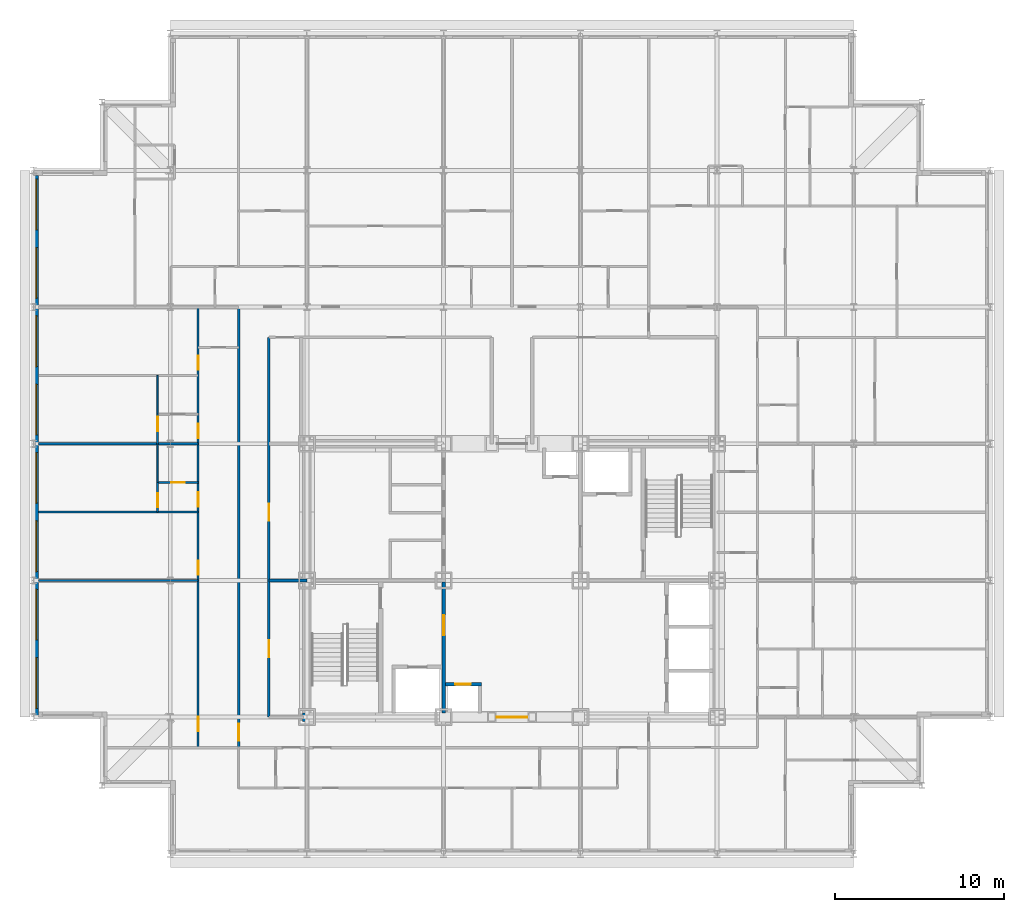
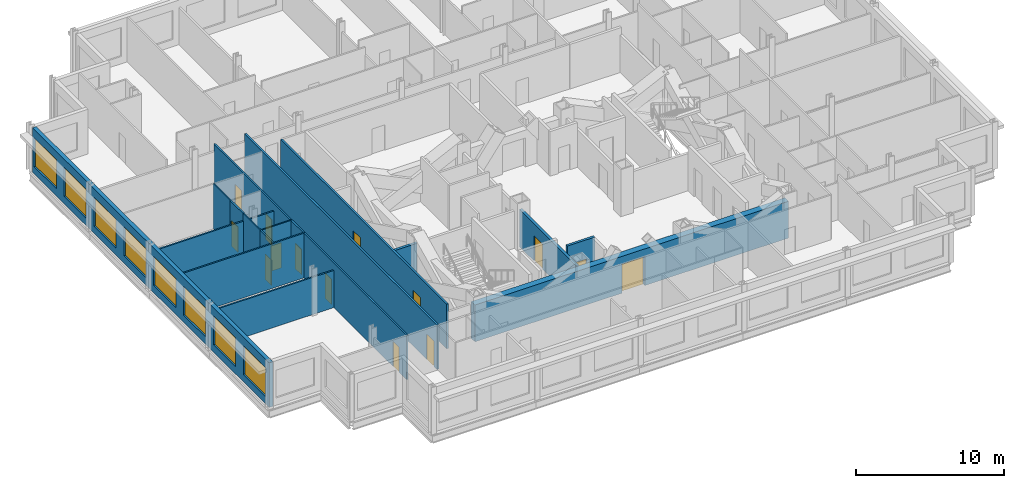
# One storey, part 8 of 15: 16 walls, 14 doors, 8 windows, 22 openings.
"""IFC4 building model written with IfcOpenShell, lengths in metres."""

from ifc_helpers import new_model, si_unit, direction, frame, frame_2d, origin, place, context, subcontext, project, spatial, rectangle, extrude, material, layer, layer_set, type_object, element, fill, save


model = new_model("IFC4")

# Units and contexts
model_context = context("Model", 3, precision=1e-05, world=origin(), true_north=direction((0.0, 1.0)))
body_context = subcontext(model_context, "Body", "Model", "MODEL_VIEW")
ifc_project = project(units=[si_unit("LENGTHUNIT", "METRE"), si_unit("AREAUNIT", "SQUARE_METRE"), si_unit("VOLUMEUNIT", "CUBIC_METRE"), si_unit("PLANEANGLEUNIT", "RADIAN"), si_unit("MASSUNIT", "GRAM", prefix="KILO")], contexts=[model_context])

# Site, building, storey
site_placement = place(None, origin())
site = spatial("IfcSite", under=ifc_project, at=site_placement, CompositionType="ELEMENT")
building_placement = place(site_placement, origin())
building = spatial("IfcBuilding", under=site, at=building_placement, Name="Kopane Lantern Tower", CompositionType="ELEMENT")
storey_placement = place(building_placement, frame((0.0, 0.0, 281.39990234375)))
storey = spatial("IfcBuildingStorey", under=building, at=storey_placement, Name="L72", CompositionType="ELEMENT", Elevation=281.39990234375)

# Wall, openings, doors
ifc_material_1 = material(Name="Gypsum board on steel studs", Category="steel")
ifc_layer_1 = layer(ifc_material_1, 0.1201171875)
ifc_layer_set_1 = layer_set([ifc_layer_1], Name="APARTMENT INTERNAL WALL 120")
wall_type_1 = type_object("IfcWallType", Name="APARTMENT INTERNAL WALL 120", PredefinedType="PARTITIONING", material=ifc_layer_set_1)
wall_1_placement = place(storey_placement, frame((9.75, 22.5, 0.0), z_axis=(0.0, 0.0, 1.0), x_axis=(0.0, 1.0, 0.0)))
wall_1 = element("IfcWall", 1, at=wall_1_placement, inside=storey, type_object=wall_type_1, Name="Apartment Internal Wall 120 L72", PredefinedType="PARTITIONING", context=body_context, shape_type="SweptSolid", body=[
    extrude(rectangle(XDim=26.10009765625, YDim=0.1201171875, at=frame_2d((13.050048828125, 0.0))), origin(), (0.0, 0.0, 1.0), 3.690185546875),
])
opening_1_placement = place(wall_1_placement, frame((0.97509765625, 0.0, 0.0)))
opening_1 = element("IfcOpeningElement", 2, at=opening_1_placement, cuts=wall_1, Name="Opening L72-023", PredefinedType="OPENING", context=body_context, shape_type="SweptSolid", body=[
    extrude(rectangle(XDim=0.85009765625, YDim=2.10009765625, at=frame_2d((0.425048828125, 1.050048828125))), frame((0.0, 0.070068359375, 0.0), z_axis=(0.0, -1.0, 0.0), x_axis=(1.0, 0.0, 0.0)), (0.0, 0.0, 1.0), 0.14013671875),
])
opening_2_placement = place(wall_1_placement, frame((10.22509765625, 0.0, 0.0)))
opening_2 = element("IfcOpeningElement", 3, at=opening_2_placement, cuts=wall_1, Name="Opening L72-024", PredefinedType="OPENING", context=body_context, shape_type="SweptSolid", body=[
    extrude(rectangle(XDim=0.85009765625, YDim=2.10009765625, at=frame_2d((0.425048828125, 1.050048828125))), frame((0.0, 0.070068359375, 0.0), z_axis=(0.0, -1.0, 0.0), x_axis=(1.0, 0.0, 0.0)), (0.0, 0.0, 1.0), 0.14013671875),
])
opening_3_placement = place(wall_1_placement, frame((14.27490234375, 0.0, 0.0)))
opening_3 = element("IfcOpeningElement", 4, at=opening_3_placement, cuts=wall_1, Name="Opening L72-026", PredefinedType="OPENING", context=body_context, shape_type="SweptSolid", body=[
    extrude(rectangle(XDim=0.85009765625, YDim=2.10009765625, at=frame_2d((0.425048828125, 1.050048828125))), frame((0.0, 0.070068359375, 0.0), z_axis=(0.0, -1.0, 0.0), x_axis=(1.0, 0.0, 0.0)), (0.0, 0.0, 1.0), 0.14013671875),
])
opening_4_placement = place(wall_1_placement, frame((18.324951171875, 0.0, 0.0)))
opening_4 = element("IfcOpeningElement", 5, at=opening_4_placement, cuts=wall_1, Name="Opening L72-028", PredefinedType="OPENING", context=body_context, shape_type="SweptSolid", body=[
    extrude(rectangle(XDim=0.85009765625, YDim=2.10009765625, at=frame_2d((0.425048828125, 1.050048828125))), frame((0.0, 0.070068359375, 0.0), z_axis=(0.0, -1.0, 0.0), x_axis=(1.0, 0.0, 0.0)), (0.0, 0.0, 1.0), 0.14013671875),
])
opening_5_placement = place(wall_1_placement, frame((22.375, 0.0, 0.0)))
opening_5 = element("IfcOpeningElement", 6, at=opening_5_placement, cuts=wall_1, Name="Opening L72-029", PredefinedType="OPENING", context=body_context, shape_type="SweptSolid", body=[
    extrude(rectangle(XDim=0.85009765625, YDim=2.10009765625, at=frame_2d((0.425048828125, 1.050048828125))), frame((0.0, 0.070068359375, 0.0), z_axis=(0.0, -1.0, 0.0), x_axis=(1.0, 0.0, 0.0)), (0.0, 0.0, 1.0), 0.14013671875),
])
ifc_material_2 = material(Name="Timber door set", Category="wood")
door_type_1 = type_object("IfcDoorType", Name="DOOR D4 850x2100", OperationType="SINGLE_SWING_LEFT", PredefinedType="DOOR", material=ifc_material_2)
door_1_placement = place(opening_1_placement, origin())
door_1 = element("IfcDoor", 7, at=door_1_placement, inside=storey, type_object=door_type_1, Name="Door L72-023", OperationType="SINGLE_SWING_RIGHT", OverallHeight=2.10009765625, OverallWidth=0.85009765625, PredefinedType="DOOR", context=body_context, shape_type="SweptSolid", body=[
    extrude(rectangle(XDim=0.85009765625, YDim=2.10009765625, at=frame_2d((0.425048828125, 1.050048828125))), frame((0.0, 0.02490234375, 0.0), z_axis=(0.0, -1.0, 0.0), x_axis=(1.0, 0.0, 0.0)), (0.0, 0.0, 1.0), 0.050048828125),
])
fill(opening_1, door_1)
door_2_placement = place(opening_2_placement, origin())
door_2 = element("IfcDoor", 8, at=door_2_placement, inside=storey, type_object=door_type_1, Name="Door L72-024", OperationType="SINGLE_SWING_LEFT", OverallHeight=2.10009765625, OverallWidth=0.85009765625, PredefinedType="DOOR", context=body_context, shape_type="SweptSolid", body=[
    extrude(rectangle(XDim=0.85009765625, YDim=2.10009765625, at=frame_2d((0.425048828125, 1.050048828125))), frame((0.0, 0.02490234375, 0.0), z_axis=(0.0, -1.0, 0.0), x_axis=(1.0, 0.0, 0.0)), (0.0, 0.0, 1.0), 0.050048828125),
])
fill(opening_2, door_2)
door_3_placement = place(opening_3_placement, origin())
door_3 = element("IfcDoor", 9, at=door_3_placement, inside=storey, type_object=door_type_1, Name="Door L72-026", OperationType="SINGLE_SWING_LEFT", OverallHeight=2.10009765625, OverallWidth=0.85009765625, PredefinedType="DOOR", context=body_context, shape_type="SweptSolid", body=[
    extrude(rectangle(XDim=0.85009765625, YDim=2.10009765625, at=frame_2d((0.425048828125, 1.050048828125))), frame((0.0, 0.02490234375, 0.0), z_axis=(0.0, -1.0, 0.0), x_axis=(1.0, 0.0, 0.0)), (0.0, 0.0, 1.0), 0.050048828125),
])
fill(opening_3, door_3)
door_4_placement = place(opening_4_placement, origin())
door_4 = element("IfcDoor", 10, at=door_4_placement, inside=storey, type_object=door_type_1, Name="Door L72-028", OperationType="SINGLE_SWING_LEFT", OverallHeight=2.10009765625, OverallWidth=0.85009765625, PredefinedType="DOOR", context=body_context, shape_type="SweptSolid", body=[
    extrude(rectangle(XDim=0.85009765625, YDim=2.10009765625, at=frame_2d((0.425048828125, 1.050048828125))), frame((0.0, 0.02490234375, 0.0), z_axis=(0.0, -1.0, 0.0), x_axis=(1.0, 0.0, 0.0)), (0.0, 0.0, 1.0), 0.050048828125),
])
fill(opening_4, door_4)
door_5_placement = place(opening_5_placement, origin())
door_5 = element("IfcDoor", 11, at=door_5_placement, inside=storey, type_object=door_type_1, Name="Door L72-029", OperationType="SINGLE_SWING_LEFT", OverallHeight=2.10009765625, OverallWidth=0.85009765625, PredefinedType="DOOR", context=body_context, shape_type="SweptSolid", body=[
    extrude(rectangle(XDim=0.85009765625, YDim=2.10009765625, at=frame_2d((0.425048828125, 1.050048828125))), frame((0.0, 0.02490234375, 0.0), z_axis=(0.0, -1.0, 0.0), x_axis=(1.0, 0.0, 0.0)), (0.0, 0.0, 1.0), 0.050048828125),
])
fill(opening_5, door_5)

# Walls
wall_2_placement = place(storey_placement, frame((9.75, 32.39990234375, 0.0), z_axis=(0.0, 0.0, 1.0), x_axis=(-1.0, 0.0, 0.0)))
element("IfcWall", 12, at=wall_2_placement, inside=storey, type_object=wall_type_1, Name="Apartment Internal Wall 120 L72", PredefinedType="PARTITIONING", context=body_context, shape_type="SweptSolid", body=[
    extrude(rectangle(XDim=9.449951171875, YDim=0.1201171875, at=frame_2d((4.72509765625, 0.0))), origin(), (0.0, 0.0, 1.0), 3.077880859375),
])
wall_3_placement = place(storey_placement, frame((9.75, 36.449951171875, 0.0), z_axis=(0.0, 0.0, 1.0), x_axis=(-1.0, 0.0, 0.0)))
element("IfcWall", 13, at=wall_3_placement, inside=storey, type_object=wall_type_1, Name="Apartment Internal Wall 120 L72", PredefinedType="PARTITIONING", context=body_context, shape_type="SweptSolid", body=[
    extrude(rectangle(XDim=9.449951171875, YDim=0.1201171875, at=frame_2d((4.72509765625, 0.0))), origin(), (0.0, 0.0, 1.0), 3.690185546875),
])
wall_4_placement = place(storey_placement, frame((9.75, 40.5, 0.0), z_axis=(0.0, 0.0, 1.0), x_axis=(-1.0, 0.0, 0.0)))
element("IfcWall", 14, at=wall_4_placement, inside=storey, type_object=wall_type_1, Name="Apartment Internal Wall 120 L72", PredefinedType="PARTITIONING", context=body_context, shape_type="SweptSolid", body=[
    extrude(rectangle(XDim=9.449951171875, YDim=0.1201171875, at=frame_2d((4.72509765625, 0.0))), origin(), (0.0, 0.0, 1.0), 3.077880859375),
])

# Wall, opening, door
wall_5_placement = place(storey_placement, frame((7.35009765625, 36.449951171875, 0.0), z_axis=(0.0, 0.0, 1.0), x_axis=(0.0, 1.0, 0.0)))
wall_5 = element("IfcWall", 15, at=wall_5_placement, inside=storey, type_object=wall_type_1, Name="Apartment Internal Wall 120 L72", PredefinedType="PARTITIONING", context=body_context, shape_type="SweptSolid", body=[
    extrude(rectangle(XDim=1.760009765625, YDim=0.1201171875, at=frame_2d((0.8798828125, 0.0))), origin(), (0.0, 0.0, 1.0), 3.690185546875),
])
opening_6_placement = place(wall_5_placement, frame((0.27490234375, 0.0, 0.0)))
opening_6 = element("IfcOpeningElement", 16, at=opening_6_placement, cuts=wall_5, Name="Opening L72-054", PredefinedType="OPENING", context=body_context, shape_type="SweptSolid", body=[
    extrude(rectangle(XDim=0.85009765625, YDim=2.10009765625, at=frame_2d((0.425048828125, 1.050048828125))), frame((0.0, 0.070068359375, 0.0), z_axis=(0.0, -1.0, 0.0), x_axis=(1.0, 0.0, 0.0)), (0.0, 0.0, 1.0), 0.14013671875),
])
door_6_placement = place(opening_6_placement, origin())
door_6 = element("IfcDoor", 17, at=door_6_placement, inside=storey, type_object=door_type_1, Name="Door L72-054", OperationType="SINGLE_SWING_LEFT", OverallHeight=2.10009765625, OverallWidth=0.85009765625, PredefinedType="DOOR", context=body_context, shape_type="SweptSolid", body=[
    extrude(rectangle(XDim=0.85009765625, YDim=2.10009765625, at=frame_2d((0.425048828125, 1.050048828125))), frame((0.0, 0.02490234375, 0.0), z_axis=(0.0, -1.0, 0.0), x_axis=(1.0, 0.0, 0.0)), (0.0, 0.0, 1.0), 0.050048828125),
])
fill(opening_6, door_6)

wall_6_placement = place(storey_placement, frame((7.35009765625, 40.5, 0.0), z_axis=(0.0, 0.0, 1.0), x_axis=(0.0, 1.0, 0.0)))
wall_6 = element("IfcWall", 18, at=wall_6_placement, inside=storey, type_object=wall_type_1, Name="Apartment Internal Wall 120 L72", PredefinedType="PARTITIONING", context=body_context, shape_type="SweptSolid", body=[
    extrude(rectangle(XDim=1.760009765625, YDim=0.1201171875, at=frame_2d((0.8798828125, 0.0))), origin(), (0.0, 0.0, 1.0), 3.690185546875),
])
opening_7_placement = place(wall_6_placement, frame((0.75, 0.0, 0.0)))
opening_7 = element("IfcOpeningElement", 19, at=opening_7_placement, cuts=wall_6, Name="Opening L72-055", PredefinedType="OPENING", context=body_context, shape_type="SweptSolid", body=[
    extrude(rectangle(XDim=0.85009765625, YDim=2.10009765625, at=frame_2d((0.425048828125, 1.050048828125))), frame((0.0, 0.070068359375, 0.0), z_axis=(0.0, -1.0, 0.0), x_axis=(1.0, 0.0, 0.0)), (0.0, 0.0, 1.0), 0.14013671875),
])
door_7_placement = place(opening_7_placement, origin())
door_7 = element("IfcDoor", 20, at=door_7_placement, inside=storey, type_object=door_type_1, Name="Door L72-055", OperationType="SINGLE_SWING_LEFT", OverallHeight=2.10009765625, OverallWidth=0.85009765625, PredefinedType="DOOR", context=body_context, shape_type="SweptSolid", body=[
    extrude(rectangle(XDim=0.85009765625, YDim=2.10009765625, at=frame_2d((0.425048828125, 1.050048828125))), frame((0.0, 0.02490234375, 0.0), z_axis=(0.0, -1.0, 0.0), x_axis=(1.0, 0.0, 0.0)), (0.0, 0.0, 1.0), 0.050048828125),
])
fill(opening_7, door_7)

ifc_material_3 = material(Name="Moisture-resistant board on steel studs", Category="steel")
ifc_layer_2 = layer(ifc_material_3, 0.10009765625)
ifc_layer_set_2 = layer_set([ifc_layer_2], Name="BATHROOM WALL 100")
wall_type_2 = type_object("IfcWallType", Name="BATHROOM WALL 100", PredefinedType="PARTITIONING", material=ifc_layer_set_2)
wall_7_placement = place(storey_placement, frame((9.75, 38.199951171875, 0.0), z_axis=(0.0, 0.0, 1.0), x_axis=(-1.0, 0.0, 0.0)))
wall_7 = element("IfcWall", 21, at=wall_7_placement, inside=storey, type_object=wall_type_2, Name="Bathroom Wall 100 L72", PredefinedType="PARTITIONING", context=body_context, shape_type="SweptSolid", body=[
    extrude(rectangle(XDim=2.39990234375, YDim=0.10009765625, at=frame_2d((1.199951171875, 0.0))), origin(), (0.0, 0.0, 1.0), 3.690185546875),
])
opening_8_placement = place(wall_7_placement, frame((0.800048828125, 0.0, 0.0)))
opening_8 = element("IfcOpeningElement", 22, at=opening_8_placement, cuts=wall_7, Name="Opening L72-025", PredefinedType="OPENING", context=body_context, shape_type="SweptSolid", body=[
    extrude(rectangle(XDim=0.800048828125, YDim=2.10009765625, at=frame_2d((0.39990234375, 1.050048828125))), frame((0.0, 0.06005859375, 0.0), z_axis=(0.0, -1.0, 0.0), x_axis=(1.0, 0.0, 0.0)), (0.0, 0.0, 1.0), 0.1201171875),
])
ifc_material_4 = material(Name="Timber door set", Category="wood")
door_type_2 = type_object("IfcDoorType", Name="DOOR D2 800x2100", OperationType="SINGLE_SWING_LEFT", PredefinedType="DOOR", material=ifc_material_4)
door_8_placement = place(opening_8_placement, origin())
door_8 = element("IfcDoor", 23, at=door_8_placement, inside=storey, type_object=door_type_2, Name="Door L72-025", OperationType="SINGLE_SWING_RIGHT", OverallHeight=2.10009765625, OverallWidth=0.800048828125, PredefinedType="DOOR", context=body_context, shape_type="SweptSolid", body=[
    extrude(rectangle(XDim=0.800048828125, YDim=2.10009765625, at=frame_2d((0.39990234375, 1.050048828125))), frame((0.0, 0.02490234375, 0.0), z_axis=(0.0, -1.0, 0.0), x_axis=(1.0, 0.0, 0.0)), (0.0, 0.0, 1.0), 0.050048828125),
])
fill(opening_8, door_8)

# Walls
for number, where, z_axis, x_axis, name in (
    (24, (7.35009765625, 38.199951171875, 0.0), (0.0, 0.0, 1.0), (0.0, 1.0, 0.0), "Bathroom Wall 100 L72"),
    (25, (7.35009765625, 42.25, 0.0), (0.0, 0.0, 1.0), (0.0, 1.0, 0.0), "Bathroom Wall 100 L72"),
):
    element("IfcWall", number, at=place(storey_placement, frame(where, z_axis=z_axis, x_axis=x_axis)), inside=storey, type_object=wall_type_2, Name=name, PredefinedType="PARTITIONING", context=body_context, shape_type="SweptSolid", body=[
        extrude(rectangle(XDim=2.300048828125, YDim=0.10009765625, at=frame_2d((1.14990234375, 0.0))), origin(), (0.0, 0.0, 1.0), 3.690185546875),
    ])

# Wall, opening, door
ifc_material_5 = material(Name="Gypsum shaft wall EI 120", Category="gypsum")
ifc_layer_3 = layer(ifc_material_5, 0.5)
ifc_layer_set_3 = layer_set([ifc_layer_3], Name="CORE PERIMETER WALL 500 EI 120")
wall_type_3 = type_object("IfcWallType", Name="CORE PERIMETER WALL 500 EI 120", PredefinedType="SOLIDWALL", material=ifc_layer_set_3)
wall_8_placement = place(storey_placement, frame((15.949951171875, 24.300048828125, 0.0), z_axis=(0.0, 0.0, 1.0), x_axis=(1.0, 0.0, 0.0)))
wall_8 = element("IfcWall", 26, at=wall_8_placement, inside=storey, type_object=wall_type_3, Name="Core shaft wall L72 PS", PredefinedType="SOLIDWALL", context=body_context, shape_type="SweptSolid", body=[
    extrude(rectangle(XDim=24.550048828125, YDim=0.5, at=frame_2d((12.27490234375, 0.0))), origin(), (0.0, 0.0, 1.0), 3.0400390625),
])
opening_9_placement = place(wall_8_placement, frame((11.5, 0.0, 0.0)))
opening_9 = element("IfcOpeningElement", 27, at=opening_9_placement, cuts=wall_8, Name="Opening 72.CE-S", PredefinedType="OPENING", context=body_context, shape_type="SweptSolid", body=[
    extrude(rectangle(XDim=1.800048828125, YDim=2.39990234375, at=frame_2d((0.89990234375, 1.199951171875))), frame((0.0, 0.260009765625, 0.0), z_axis=(0.0, -1.0, 0.0), x_axis=(1.0, 0.0, 0.0)), (0.0, 0.0, 1.0), 0.52001953125),
])
ifc_material_6 = material(Name="Steel door set", Category="steel")
door_type_3 = type_object("IfcDoorType", Name="CORE ENTRY DOOR 1800x2400 FD60S", OperationType="DOUBLE_DOOR_SINGLE_SWING", PredefinedType="DOOR", material=ifc_material_6)
door_9_placement = place(opening_9_placement, origin())
door_9 = element("IfcDoor", 28, at=door_9_placement, inside=storey, type_object=door_type_3, Name="Core entry door L72 south", OperationType="DOUBLE_DOOR_SINGLE_SWING", OverallHeight=2.39990234375, OverallWidth=1.800048828125, PredefinedType="DOOR", context=body_context, shape_type="SweptSolid", body=[
    extrude(rectangle(XDim=1.800048828125, YDim=2.39990234375, at=frame_2d((0.89990234375, 1.199951171875))), frame((0.0, 0.02490234375, 0.0), z_axis=(0.0, -1.0, 0.0), x_axis=(1.0, 0.0, 0.0)), (0.0, 0.0, 1.0), 0.050048828125),
])
fill(opening_9, door_9)

ifc_material_7 = material(Name="Gypsum board on steel studs", Category="steel")
ifc_layer_4 = layer(ifc_material_7, 0.14990234375)
ifc_layer_set_4 = layer_set([ifc_layer_4], Name="CORRIDOR WALL 150 EI 60")
wall_type_4 = type_object("IfcWallType", Name="CORRIDOR WALL 150 EI 60", PredefinedType="PARTITIONING", material=ifc_layer_set_4)
wall_9_placement = place(storey_placement, frame((12.14990234375, 22.5, 0.0), z_axis=(0.0, 0.0, 1.0), x_axis=(0.0, 1.0, 0.0)))
wall_9 = element("IfcWall", 29, at=wall_9_placement, inside=storey, type_object=wall_type_4, Name="Corridor Wall 150 Ei 60 L72", PredefinedType="PARTITIONING", context=body_context, shape_type="SweptSolid", body=[
    extrude(rectangle(XDim=26.10009765625, YDim=0.14990234375, at=frame_2d((13.050048828125, 0.0))), origin(), (0.0, 0.0, 1.0), 3.690185546875),
])
opening_10_placement = place(wall_9_placement, frame((0.39990234375, 0.0, 0.0)))
opening_10 = element("IfcOpeningElement", 30, at=opening_10_placement, cuts=wall_9, Name="Opening L72-022", PredefinedType="OPENING", context=body_context, shape_type="SweptSolid", body=[
    extrude(rectangle(XDim=1.0, YDim=2.10009765625, at=frame_2d((0.5, 1.050048828125))), frame((0.0, 0.0849609375, 0.0), z_axis=(0.0, -1.0, 0.0), x_axis=(1.0, 0.0, 0.0)), (0.0, 0.0, 1.0), 0.169921875),
])
ifc_material_8 = material(Name="Steel door set", Category="steel")
door_type_4 = type_object("IfcDoorType", Name="DOOR D3 1000x2100 FD30S", OperationType="SINGLE_SWING_LEFT", PredefinedType="DOOR", material=ifc_material_8)
door_10_placement = place(opening_10_placement, origin())
door_10 = element("IfcDoor", 31, at=door_10_placement, inside=storey, type_object=door_type_4, Name="Door L72-022", OperationType="SINGLE_SWING_LEFT", OverallHeight=2.10009765625, OverallWidth=1.0, PredefinedType="DOOR", context=body_context, shape_type="SweptSolid", body=[
    extrude(rectangle(XDim=1.0, YDim=2.10009765625, at=frame_2d((0.5, 1.050048828125))), frame((0.0, 0.02490234375, 0.0), z_axis=(0.0, -1.0, 0.0), x_axis=(1.0, 0.0, 0.0)), (0.0, 0.0, 1.0), 0.050048828125),
])
fill(opening_10, door_10)

# Wall, openings, doors
wall_10_placement = place(storey_placement, frame((13.949951171875, 24.300048828125, 0.0), z_axis=(0.0, 0.0, 1.0), x_axis=(0.0, 1.0, 0.0)))
wall_10 = element("IfcWall", 32, at=wall_10_placement, inside=storey, type_object=wall_type_4, Name="Corridor Wall 150 Ei 60 L72", PredefinedType="PARTITIONING", context=body_context, shape_type="SweptSolid", body=[
    extrude(rectangle(XDim=22.5, YDim=0.14990234375, at=frame_2d((11.25, 0.0))), origin(), (0.0, 0.0, 1.0), 3.690185546875),
])
opening_11_placement = place(wall_10_placement, frame((3.550048828125, 0.0, 0.0)))
opening_11 = element("IfcOpeningElement", 33, at=opening_11_placement, cuts=wall_10, Name="Opening L72-001", PredefinedType="OPENING", context=body_context, shape_type="SweptSolid", body=[
    extrude(rectangle(XDim=1.0, YDim=2.10009765625, at=frame_2d((0.5, 1.050048828125))), frame((0.0, 0.0849609375, 0.0), z_axis=(0.0, -1.0, 0.0), x_axis=(1.0, 0.0, 0.0)), (0.0, 0.0, 1.0), 0.169921875),
])
opening_12_placement = place(wall_10_placement, frame((11.64990234375, 0.0, 0.0)))
opening_12 = element("IfcOpeningElement", 34, at=opening_12_placement, cuts=wall_10, Name="Opening L72-002", PredefinedType="OPENING", context=body_context, shape_type="SweptSolid", body=[
    extrude(rectangle(XDim=1.0, YDim=2.10009765625, at=frame_2d((0.5, 1.050048828125))), frame((0.0, 0.0849609375, 0.0), z_axis=(0.0, -1.0, 0.0), x_axis=(1.0, 0.0, 0.0)), (0.0, 0.0, 1.0), 0.169921875),
])
ifc_material_9 = material(Name="Steel door set", Category="steel")
door_type_5 = type_object("IfcDoorType", Name="DOOR D5 1000x2100 FD60", OperationType="SINGLE_SWING_LEFT", PredefinedType="DOOR", material=ifc_material_9)
door_11_placement = place(opening_11_placement, origin())
door_11 = element("IfcDoor", 35, at=door_11_placement, inside=storey, type_object=door_type_5, Name="Door L72-001", OperationType="SINGLE_SWING_RIGHT", OverallHeight=2.10009765625, OverallWidth=1.0, PredefinedType="DOOR", context=body_context, shape_type="SweptSolid", body=[
    extrude(rectangle(XDim=1.0, YDim=2.10009765625, at=frame_2d((0.5, 1.050048828125))), frame((0.0, 0.02490234375, 0.0), z_axis=(0.0, -1.0, 0.0), x_axis=(1.0, 0.0, 0.0)), (0.0, 0.0, 1.0), 0.050048828125),
])
fill(opening_11, door_11)
door_12_placement = place(opening_12_placement, origin())
door_12 = element("IfcDoor", 36, at=door_12_placement, inside=storey, type_object=door_type_5, Name="Door L72-002", OperationType="SINGLE_SWING_LEFT", OverallHeight=2.10009765625, OverallWidth=1.0, PredefinedType="DOOR", context=body_context, shape_type="SweptSolid", body=[
    extrude(rectangle(XDim=1.0, YDim=2.10009765625, at=frame_2d((0.5, 1.050048828125))), frame((0.0, 0.02490234375, 0.0), z_axis=(0.0, -1.0, 0.0), x_axis=(1.0, 0.0, 0.0)), (0.0, 0.0, 1.0), 0.050048828125),
])
fill(opening_12, door_12)

# Wall, openings, windows
ifc_material_10 = material(Name="Terracotta rainscreen on light steel framing", Category="masonry")
ifc_layer_5 = layer(ifc_material_10, 0.300048828125)
ifc_layer_set_5 = layer_set([ifc_layer_5], Name="EXTERNAL WALL EW1 300 TERRACOTTA")
wall_type_5 = type_object("IfcWallType", Name="EXTERNAL WALL EW1 300 TERRACOTTA", PredefinedType="SOLIDWALL", material=ifc_layer_set_5)
wall_11_placement = place(storey_placement, frame((0.14990234375, 56.39990234375, 0.0), z_axis=(0.0, 0.0, 1.0), x_axis=(0.0, -1.0, 0.0)))
wall_11 = element("IfcWall", 37, at=wall_11_placement, inside=storey, type_object=wall_type_5, Name="External wall W L72", PredefinedType="SOLIDWALL", context=body_context, shape_type="SweptSolid", body=[
    extrude(rectangle(XDim=32.099853515625, YDim=0.300048828125, at=frame_2d((16.0498046875, 0.0))), origin(), (0.0, 0.0, 1.0), 3.690185546875),
])
opening_13_placement = place(wall_11_placement, frame((0.22509765625, 0.0, 0.60009765625)))
opening_13 = element("IfcOpeningElement", 38, at=opening_13_placement, cuts=wall_11, Name="Opening WR300240", PredefinedType="OPENING", context=body_context, shape_type="SweptSolid", body=[
    extrude(rectangle(XDim=3.0, YDim=2.39990234375, at=frame_2d((1.5, 1.199951171875))), frame((0.0, 0.159912109375, 0.0), z_axis=(0.0, -1.0, 0.0), x_axis=(1.0, 0.0, 0.0)), (0.0, 0.0, 1.0), 0.320068359375),
])
opening_14_placement = place(wall_11_placement, frame((4.27490234375, 0.0, 0.60009765625)))
opening_14 = element("IfcOpeningElement", 39, at=opening_14_placement, cuts=wall_11, Name="Opening WR300240", PredefinedType="OPENING", context=body_context, shape_type="SweptSolid", body=[
    extrude(rectangle(XDim=3.0, YDim=2.39990234375, at=frame_2d((1.5, 1.199951171875))), frame((0.0, 0.159912109375, 0.0), z_axis=(0.0, -1.0, 0.0), x_axis=(1.0, 0.0, 0.0)), (0.0, 0.0, 1.0), 0.320068359375),
])
opening_15_placement = place(wall_11_placement, frame((8.324951171875, 0.0, 0.60009765625)))
opening_15 = element("IfcOpeningElement", 40, at=opening_15_placement, cuts=wall_11, Name="Opening WR300240", PredefinedType="OPENING", context=body_context, shape_type="SweptSolid", body=[
    extrude(rectangle(XDim=3.0, YDim=2.39990234375, at=frame_2d((1.5, 1.199951171875))), frame((0.0, 0.159912109375, 0.0), z_axis=(0.0, -1.0, 0.0), x_axis=(1.0, 0.0, 0.0)), (0.0, 0.0, 1.0), 0.320068359375),
])
opening_16_placement = place(wall_11_placement, frame((12.375, 0.0, 0.60009765625)))
opening_16 = element("IfcOpeningElement", 41, at=opening_16_placement, cuts=wall_11, Name="Opening WR300240", PredefinedType="OPENING", context=body_context, shape_type="SweptSolid", body=[
    extrude(rectangle(XDim=3.0, YDim=2.39990234375, at=frame_2d((1.5, 1.199951171875))), frame((0.0, 0.159912109375, 0.0), z_axis=(0.0, -1.0, 0.0), x_axis=(1.0, 0.0, 0.0)), (0.0, 0.0, 1.0), 0.320068359375),
])
opening_17_placement = place(wall_11_placement, frame((16.425048828125, 0.0, 0.60009765625)))
opening_17 = element("IfcOpeningElement", 42, at=opening_17_placement, cuts=wall_11, Name="Opening WR300240", PredefinedType="OPENING", context=body_context, shape_type="SweptSolid", body=[
    extrude(rectangle(XDim=3.0, YDim=2.39990234375, at=frame_2d((1.5, 1.199951171875))), frame((0.0, 0.159912109375, 0.0), z_axis=(0.0, -1.0, 0.0), x_axis=(1.0, 0.0, 0.0)), (0.0, 0.0, 1.0), 0.320068359375),
])
opening_18_placement = place(wall_11_placement, frame((20.47509765625, 0.0, 0.60009765625)))
opening_18 = element("IfcOpeningElement", 43, at=opening_18_placement, cuts=wall_11, Name="Opening WR300240", PredefinedType="OPENING", context=body_context, shape_type="SweptSolid", body=[
    extrude(rectangle(XDim=3.0, YDim=2.39990234375, at=frame_2d((1.5, 1.199951171875))), frame((0.0, 0.159912109375, 0.0), z_axis=(0.0, -1.0, 0.0), x_axis=(1.0, 0.0, 0.0)), (0.0, 0.0, 1.0), 0.320068359375),
])
opening_19_placement = place(wall_11_placement, frame((24.52490234375, 0.0, 0.60009765625)))
opening_19 = element("IfcOpeningElement", 44, at=opening_19_placement, cuts=wall_11, Name="Opening WR300240", PredefinedType="OPENING", context=body_context, shape_type="SweptSolid", body=[
    extrude(rectangle(XDim=3.0, YDim=2.39990234375, at=frame_2d((1.5, 1.199951171875))), frame((0.0, 0.159912109375, 0.0), z_axis=(0.0, -1.0, 0.0), x_axis=(1.0, 0.0, 0.0)), (0.0, 0.0, 1.0), 0.320068359375),
])
opening_20_placement = place(wall_11_placement, frame((28.574951171875, 0.0, 0.60009765625)))
opening_20 = element("IfcOpeningElement", 45, at=opening_20_placement, cuts=wall_11, Name="Opening WR300240", PredefinedType="OPENING", context=body_context, shape_type="SweptSolid", body=[
    extrude(rectangle(XDim=3.0, YDim=2.39990234375, at=frame_2d((1.5, 1.199951171875))), frame((0.0, 0.159912109375, 0.0), z_axis=(0.0, -1.0, 0.0), x_axis=(1.0, 0.0, 0.0)), (0.0, 0.0, 1.0), 0.320068359375),
])
ifc_material_11 = material(Name="Aluminium and clear glass", Category="aluminium")
window_type = type_object("IfcWindowType", Name="RIBBON WINDOW WR300240 3000x2400", PartitioningType="SINGLE_PANEL", PredefinedType="WINDOW", material=ifc_material_11)
window_1_placement = place(opening_13_placement, origin())
window_1 = element("IfcWindow", 46, at=window_1_placement, inside=storey, type_object=window_type, Name="Window W L72", OverallHeight=2.39990234375, OverallWidth=3.0, PartitioningType="SINGLE_PANEL", PredefinedType="WINDOW", context=body_context, shape_type="SweptSolid", body=[
    extrude(rectangle(XDim=3.0, YDim=2.39990234375, at=frame_2d((1.5, 1.199951171875))), frame((0.0, 0.030029296875, 0.0), z_axis=(0.0, -1.0, 0.0), x_axis=(1.0, 0.0, 0.0)), (0.0, 0.0, 1.0), 0.06005859375),
])
fill(opening_13, window_1)
window_2_placement = place(opening_14_placement, origin())
window_2 = element("IfcWindow", 47, at=window_2_placement, inside=storey, type_object=window_type, Name="Window W L72", OverallHeight=2.39990234375, OverallWidth=3.0, PartitioningType="SINGLE_PANEL", PredefinedType="WINDOW", context=body_context, shape_type="SweptSolid", body=[
    extrude(rectangle(XDim=3.0, YDim=2.39990234375, at=frame_2d((1.5, 1.199951171875))), frame((0.0, 0.030029296875, 0.0), z_axis=(0.0, -1.0, 0.0), x_axis=(1.0, 0.0, 0.0)), (0.0, 0.0, 1.0), 0.06005859375),
])
fill(opening_14, window_2)
window_3_placement = place(opening_15_placement, origin())
window_3 = element("IfcWindow", 48, at=window_3_placement, inside=storey, type_object=window_type, Name="Window W L72", OverallHeight=2.39990234375, OverallWidth=3.0, PartitioningType="SINGLE_PANEL", PredefinedType="WINDOW", context=body_context, shape_type="SweptSolid", body=[
    extrude(rectangle(XDim=3.0, YDim=2.39990234375, at=frame_2d((1.5, 1.199951171875))), frame((0.0, 0.030029296875, 0.0), z_axis=(0.0, -1.0, 0.0), x_axis=(1.0, 0.0, 0.0)), (0.0, 0.0, 1.0), 0.06005859375),
])
fill(opening_15, window_3)
window_4_placement = place(opening_16_placement, origin())
window_4 = element("IfcWindow", 49, at=window_4_placement, inside=storey, type_object=window_type, Name="Window W L72", OverallHeight=2.39990234375, OverallWidth=3.0, PartitioningType="SINGLE_PANEL", PredefinedType="WINDOW", context=body_context, shape_type="SweptSolid", body=[
    extrude(rectangle(XDim=3.0, YDim=2.39990234375, at=frame_2d((1.5, 1.199951171875))), frame((0.0, 0.030029296875, 0.0), z_axis=(0.0, -1.0, 0.0), x_axis=(1.0, 0.0, 0.0)), (0.0, 0.0, 1.0), 0.06005859375),
])
fill(opening_16, window_4)
window_5_placement = place(opening_17_placement, origin())
window_5 = element("IfcWindow", 50, at=window_5_placement, inside=storey, type_object=window_type, Name="Window W L72", OverallHeight=2.39990234375, OverallWidth=3.0, PartitioningType="SINGLE_PANEL", PredefinedType="WINDOW", context=body_context, shape_type="SweptSolid", body=[
    extrude(rectangle(XDim=3.0, YDim=2.39990234375, at=frame_2d((1.5, 1.199951171875))), frame((0.0, 0.030029296875, 0.0), z_axis=(0.0, -1.0, 0.0), x_axis=(1.0, 0.0, 0.0)), (0.0, 0.0, 1.0), 0.06005859375),
])
fill(opening_17, window_5)
window_6_placement = place(opening_18_placement, origin())
window_6 = element("IfcWindow", 51, at=window_6_placement, inside=storey, type_object=window_type, Name="Window W L72", OverallHeight=2.39990234375, OverallWidth=3.0, PartitioningType="SINGLE_PANEL", PredefinedType="WINDOW", context=body_context, shape_type="SweptSolid", body=[
    extrude(rectangle(XDim=3.0, YDim=2.39990234375, at=frame_2d((1.5, 1.199951171875))), frame((0.0, 0.030029296875, 0.0), z_axis=(0.0, -1.0, 0.0), x_axis=(1.0, 0.0, 0.0)), (0.0, 0.0, 1.0), 0.06005859375),
])
fill(opening_18, window_6)
window_7_placement = place(opening_19_placement, origin())
window_7 = element("IfcWindow", 52, at=window_7_placement, inside=storey, type_object=window_type, Name="Window W L72", OverallHeight=2.39990234375, OverallWidth=3.0, PartitioningType="SINGLE_PANEL", PredefinedType="WINDOW", context=body_context, shape_type="SweptSolid", body=[
    extrude(rectangle(XDim=3.0, YDim=2.39990234375, at=frame_2d((1.5, 1.199951171875))), frame((0.0, 0.030029296875, 0.0), z_axis=(0.0, -1.0, 0.0), x_axis=(1.0, 0.0, 0.0)), (0.0, 0.0, 1.0), 0.06005859375),
])
fill(opening_19, window_7)
window_8_placement = place(opening_20_placement, origin())
window_8 = element("IfcWindow", 53, at=window_8_placement, inside=storey, type_object=window_type, Name="Window W L72", OverallHeight=2.39990234375, OverallWidth=3.0, PartitioningType="SINGLE_PANEL", PredefinedType="WINDOW", context=body_context, shape_type="SweptSolid", body=[
    extrude(rectangle(XDim=3.0, YDim=2.39990234375, at=frame_2d((1.5, 1.199951171875))), frame((0.0, 0.030029296875, 0.0), z_axis=(0.0, -1.0, 0.0), x_axis=(1.0, 0.0, 0.0)), (0.0, 0.0, 1.0), 0.06005859375),
])
fill(opening_20, window_8)

# Wall
ifc_material_12 = material(Name="Concrete masonry", Category="masonry")
ifc_layer_6 = layer(ifc_material_12, 0.199951171875)
ifc_layer_set_6 = layer_set([ifc_layer_6], Name="PLANT ROOM WALL 200 EI 120")
wall_type_6 = type_object("IfcWallType", Name="PLANT ROOM WALL 200 EI 120", PredefinedType="SOLIDWALL", material=ifc_layer_set_6)
wall_12_placement = place(storey_placement, frame((13.949951171875, 32.39990234375, 0.0), z_axis=(0.0, 0.0, 1.0), x_axis=(1.0, 0.0, 0.0)))
element("IfcWall", 54, at=wall_12_placement, inside=storey, type_object=wall_type_6, Name="Plant Room Wall 200 Ei 120 L72", PredefinedType="SOLIDWALL", context=body_context, shape_type="SweptSolid", body=[
    extrude(rectangle(XDim=2.25, YDim=0.199951171875, at=frame_2d((1.125, 0.0))), origin(), (0.0, 0.0, 1.0), 3.077880859375),
])

# Wall, opening, door
ifc_material_13 = material(Name="Gypsum shaft wall EI 120", Category="gypsum")
ifc_layer_7 = layer(ifc_material_13, 0.199951171875)
ifc_layer_set_7 = layer_set([ifc_layer_7], Name="SHAFT WALL 200 EI 120")
wall_type_7 = type_object("IfcWallType", Name="SHAFT WALL 200 EI 120", PredefinedType="SOLIDWALL", material=ifc_layer_set_7)
wall_13_placement = place(storey_placement, frame((24.300048828125, 24.550048828125, 0.0), z_axis=(0.0, 0.0, 1.0), x_axis=(0.0, 1.0, 0.0)))
wall_13 = element("IfcWall", 55, at=wall_13_placement, inside=storey, type_object=wall_type_7, Name="Core shaft wall L72 X243", PredefinedType="SOLIDWALL", context=body_context, shape_type="SweptSolid", body=[
    extrude(rectangle(XDim=7.75, YDim=0.199951171875, at=frame_2d((3.875, 0.0))), origin(), (0.0, 0.0, 1.0), 3.077880859375),
])
opening_21_placement = place(wall_13_placement, frame((4.60009765625, 0.0, 0.0)))
opening_21 = element("IfcOpeningElement", 56, at=opening_21_placement, cuts=wall_13, Name="Opening 72.FL1", PredefinedType="OPENING", context=body_context, shape_type="SweptSolid", body=[
    extrude(rectangle(XDim=1.199951171875, YDim=2.10009765625, at=frame_2d((0.60009765625, 1.050048828125))), frame((0.0, 0.10986328125, 0.0), z_axis=(0.0, -1.0, 0.0), x_axis=(1.0, 0.0, 0.0)), (0.0, 0.0, 1.0), 0.219970703125),
])
ifc_material_14 = material(Name="Steel door set", Category="steel")
door_type_6 = type_object("IfcDoorType", Name="FIREFIGHTING LOBBY DOOR 1200x2100 FD60S", OperationType="SINGLE_SWING_RIGHT", PredefinedType="DOOR", material=ifc_material_14)
door_13_placement = place(opening_21_placement, origin())
door_13 = element("IfcDoor", 57, at=door_13_placement, inside=storey, type_object=door_type_6, Name="Firefighting lobby door FL1 L72", OperationType="SINGLE_SWING_LEFT", OverallHeight=2.10009765625, OverallWidth=1.199951171875, PredefinedType="DOOR", context=body_context, shape_type="SweptSolid", body=[
    extrude(rectangle(XDim=1.199951171875, YDim=2.10009765625, at=frame_2d((0.60009765625, 1.050048828125))), frame((0.0, 0.02490234375, 0.0), z_axis=(0.0, -1.0, 0.0), x_axis=(1.0, 0.0, 0.0)), (0.0, 0.0, 1.0), 0.050048828125),
])
fill(opening_21, door_13)

wall_14_placement = place(storey_placement, frame((24.39990234375, 26.25, 0.0), z_axis=(0.0, 0.0, 1.0), x_axis=(1.0, 0.0, 0.0)))
wall_14 = element("IfcWall", 58, at=wall_14_placement, inside=storey, type_object=wall_type_7, Name="Core shaft wall L72 YRS1", PredefinedType="SOLIDWALL", context=body_context, shape_type="SweptSolid", body=[
    extrude(rectangle(XDim=2.150146484375, YDim=0.199951171875, at=frame_2d((1.0751953125, 0.0))), origin(), (0.0, 0.0, 1.0), 3.690185546875),
])
opening_22_placement = place(wall_14_placement, frame((0.60009765625, 0.0, 0.0)))
opening_22 = element("IfcOpeningElement", 59, at=opening_22_placement, cuts=wall_14, Name="Opening 72.RS1", PredefinedType="OPENING", context=body_context, shape_type="SweptSolid", body=[
    extrude(rectangle(XDim=0.89990234375, YDim=2.10009765625, at=frame_2d((0.449951171875, 1.050048828125))), frame((0.0, 0.10986328125, 0.0), z_axis=(0.0, -1.0, 0.0), x_axis=(1.0, 0.0, 0.0)), (0.0, 0.0, 1.0), 0.219970703125),
])
ifc_material_15 = material(Name="Steel door set", Category="steel")
door_type_7 = type_object("IfcDoorType", Name="RISER ACCESS DOOR 900x2100 FD60", OperationType="SINGLE_SWING_LEFT", PredefinedType="DOOR", material=ifc_material_15)
door_14_placement = place(opening_22_placement, origin())
door_14 = element("IfcDoor", 60, at=door_14_placement, inside=storey, type_object=door_type_7, Name="Riser access door RS1 L72", OperationType="SINGLE_SWING_LEFT", OverallHeight=2.10009765625, OverallWidth=0.89990234375, PredefinedType="DOOR", context=body_context, shape_type="SweptSolid", body=[
    extrude(rectangle(XDim=0.89990234375, YDim=2.10009765625, at=frame_2d((0.449951171875, 1.050048828125))), frame((0.0, 0.02490234375, 0.0), z_axis=(0.0, -1.0, 0.0), x_axis=(1.0, 0.0, 0.0)), (0.0, 0.0, 1.0), 0.050048828125),
])
fill(opening_22, door_14)

save(model, "model.ifc")
